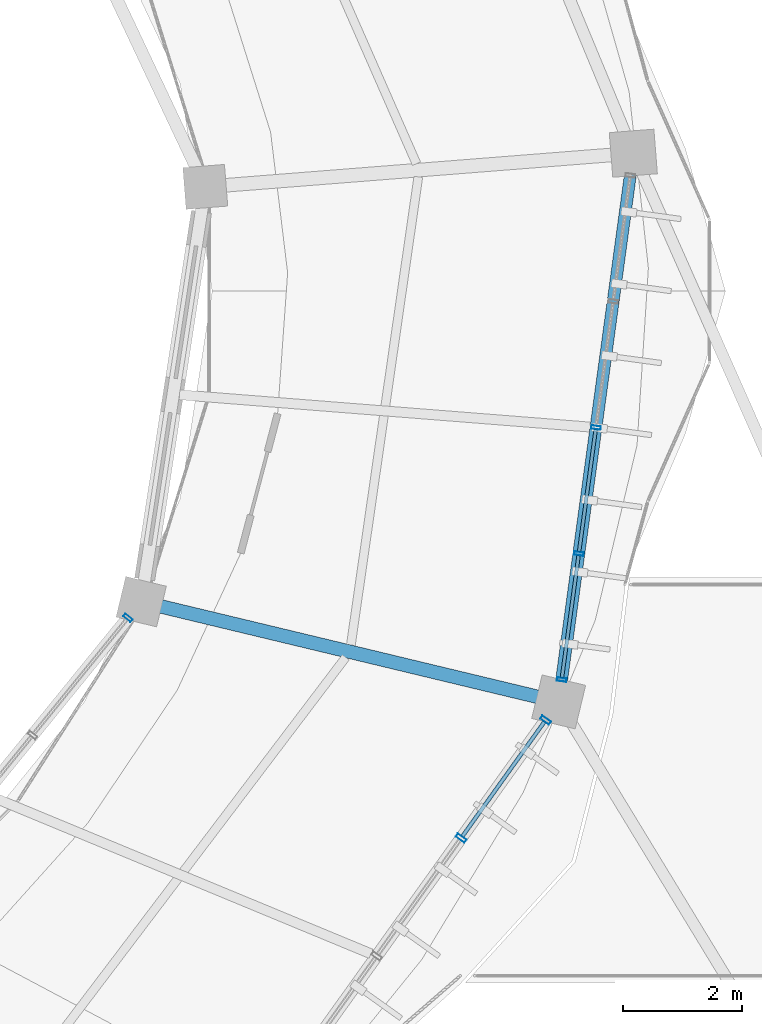
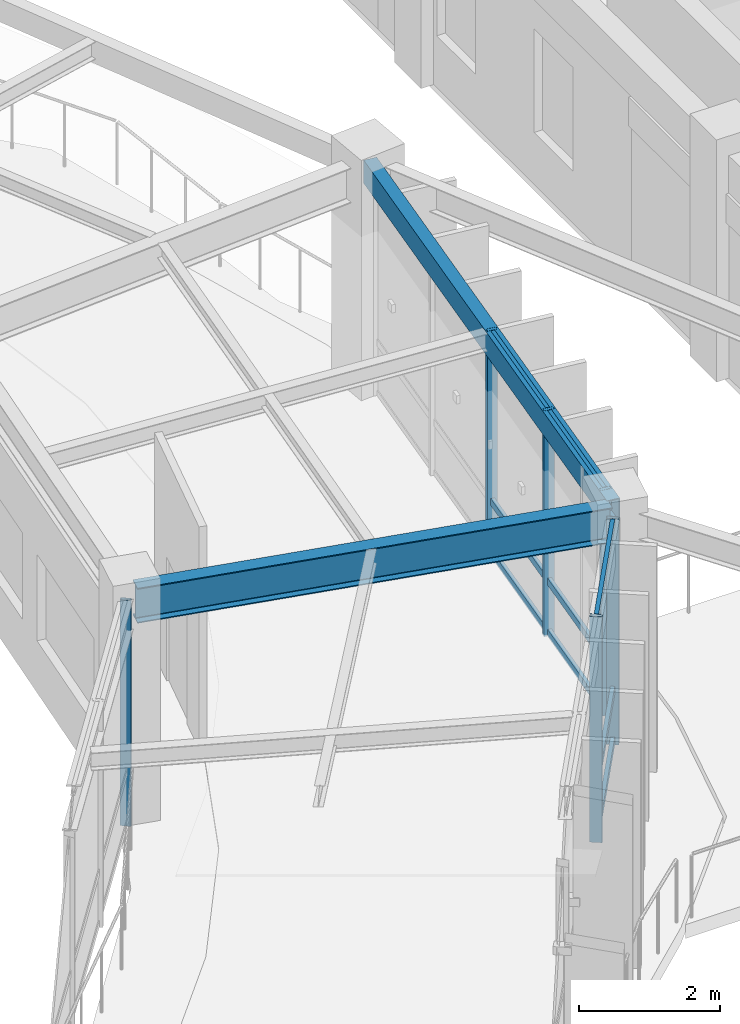
# One storey, part 97 of 152: 15 members, 2 beams, 3 elements without a shape of their own.
"""IFC4 building model written with IfcOpenShell, lengths in metres."""

from ifc_helpers import new_model, si_unit, direction, frame, origin, origin_2d, place, context, subcontext, project, spatial, hollow_rectangle, i_section, extrude, material, material_profile, profile_set, type_object, element, aggregate, save


model = new_model("IFC4")

# Units and contexts
model_context = context("Model", 3, precision=1e-05, world=origin(), true_north=direction((0.0, 1.0)))
body_context = subcontext(model_context, "Body", "Model", "MODEL_VIEW")
ifc_project = project(units=[si_unit("LENGTHUNIT", "METRE"), si_unit("AREAUNIT", "SQUARE_METRE"), si_unit("VOLUMEUNIT", "CUBIC_METRE"), si_unit("PLANEANGLEUNIT", "RADIAN"), si_unit("MASSUNIT", "GRAM", prefix="KILO"), si_unit("THERMODYNAMICTEMPERATUREUNIT", "KELVIN"), si_unit("POWERUNIT", "WATT")], contexts=[model_context])

# Site, building, storey
site_placement = place(None, origin())
site = spatial("IfcSite", under=ifc_project, at=site_placement, CompositionType="ELEMENT")
building_placement = place(site_placement, origin())
building = spatial("IfcBuilding", under=site, at=building_placement, Name="Darbajah Civic Hall", CompositionType="ELEMENT")
storey_placement = place(building_placement, frame((0.0, 0.0, 5.39990234375)))
storey = spatial("IfcBuildingStorey", under=building, at=storey_placement, Name="L01", CompositionType="ELEMENT", Elevation=5.39990234375)

# Curtain wall, member
ifc_material_1 = material(Name="Anodised Bronze Aluminium and Low-E Glazing", Category="aluminium")
curtain_wall_type_1 = type_object("IfcCurtainWallType", Name="Unitised Curtain Wall CW-35 7600x3900", PredefinedType="USERDEFINED", material=ifc_material_1)
curtain_wall_1_placement = place(storey_placement, origin())
curtain_wall_1 = element("IfcCurtainWall", 1, at=curtain_wall_1_placement, inside=storey, type_object=curtain_wall_type_1, Name="L01 unitised curtain wall CW-V1I-L01-18", ObjectType="UNITISED CURTAIN WALL", PredefinedType="USERDEFINED")
ifc_material_2 = material(Name="Anodised Bronze Aluminium", Category="aluminium")
ifc_material_profile_1 = material_profile(ifc_material_2, hollow_rectangle(XDim=0.06005859375, YDim=0.159912109375, WallThickness=0.00341796875, at=origin_2d()), Name="ALU MULLION 60x160")
ifc_profile_set_1 = profile_set([ifc_material_profile_1], Name="Anodised Bronze Aluminium")
member_type_1 = type_object("IfcMemberType", Name="ALU MULLION 60x160", PredefinedType="MULLION", material=ifc_profile_set_1)
member_1_placement = place(storey_placement, frame((131.4677734375, 84.3212890625, 0.0), z_axis=(0.0, 0.0, 1.0), x_axis=(0.63108205791, 0.775716079622, 0.0)))
member_1 = element("IfcMember", 2, at=member_1_placement, type_object=member_type_1, Name="CW-V1I-L01-18 mullion 4", PredefinedType="MULLION", context=body_context, shape_type="SweptSolid", body=[
    extrude(hollow_rectangle(XDim=0.06005859375, YDim=0.159912109375, WallThickness=0.00341796875, at=origin_2d()), origin(), (0.0, 0.0, 1.0), 3.920166015625),
])
aggregate(curtain_wall_1, [member_1])

# Curtain wall, members
curtain_wall_type_2 = type_object("IfcCurtainWallType", Name="Unitised Curtain Wall CW-36 8500x3900", PredefinedType="USERDEFINED", material=ifc_material_1)
curtain_wall_2_placement = place(storey_placement, origin())
curtain_wall_2 = element("IfcCurtainWall", 3, at=curtain_wall_2_placement, inside=storey, type_object=curtain_wall_type_2, Name="L01 unitised curtain wall CW-V1O-L01-19", ObjectType="UNITISED CURTAIN WALL", PredefinedType="USERDEFINED")
member_2_placement = place(storey_placement, frame((138.74169921875, 83.287109375, 0.0), z_axis=(0.0, 0.0, 1.0), x_axis=(0.134850930274, 0.990865897387, 0.0)))
member_2 = element("IfcMember", 4, at=member_2_placement, type_object=member_type_1, Name="CW-V1O-L01-19 mullion 1", PredefinedType="MULLION", context=body_context, shape_type="SweptSolid", body=[
    extrude(hollow_rectangle(XDim=0.06005859375, YDim=0.159912109375, WallThickness=0.00341796875, at=origin_2d()), origin(), (0.0, 0.0, 1.0), 3.920166015625),
])
member_3_placement = place(storey_placement, frame((139.029296875, 85.400390625, 0.0), z_axis=(0.0, 0.0, 1.0), x_axis=(0.134850930274, 0.990865897387, 0.0)))
member_3 = element("IfcMember", 5, at=member_3_placement, type_object=member_type_1, Name="CW-V1O-L01-19 mullion 2", PredefinedType="MULLION", context=body_context, shape_type="SweptSolid", body=[
    extrude(hollow_rectangle(XDim=0.06005859375, YDim=0.159912109375, WallThickness=0.00341796875, at=origin_2d()), origin(), (0.0, 0.0, 1.0), 3.920166015625),
])
member_4_placement = place(storey_placement, frame((139.31689453125, 87.513916015625, 0.0), z_axis=(0.0, 0.0, 1.0), x_axis=(0.134850930274, 0.990865897387, 0.0)))
member_4 = element("IfcMember", 6, at=member_4_placement, type_object=member_type_1, Name="CW-V1O-L01-19 mullion 3", PredefinedType="MULLION", context=body_context, shape_type="SweptSolid", body=[
    extrude(hollow_rectangle(XDim=0.06005859375, YDim=0.159912109375, WallThickness=0.00341796875, at=origin_2d()), origin(), (0.0, 0.0, 1.0), 3.920166015625),
])

curtain_wall_type_3 = type_object("IfcCurtainWallType", Name="Unitised Curtain Wall CW-34 9700x3900", PredefinedType="USERDEFINED", material=ifc_material_1)
curtain_wall_3_placement = place(storey_placement, origin())
curtain_wall_3 = element("IfcCurtainWall", 7, at=curtain_wall_3_placement, inside=storey, type_object=curtain_wall_type_3, Name="L01 unitised curtain wall CW-V1O-L01-18", ObjectType="UNITISED CURTAIN WALL", PredefinedType="USERDEFINED")
ifc_material_profile_2 = material_profile(ifc_material_2, hollow_rectangle(XDim=0.06494140625, YDim=0.179931640625, WallThickness=0.00390625, at=origin_2d()), Name="ALU MULLION 65x180")
ifc_profile_set_2 = profile_set([ifc_material_profile_2], Name="Anodised Bronze Aluminium")
member_type_2 = type_object("IfcMemberType", Name="ALU MULLION 65x180", PredefinedType="MULLION", material=ifc_profile_set_2)
member_5_placement = place(storey_placement, frame((137.0546875, 80.62841796875, 0.0), z_axis=(0.0, 0.0, 1.0), x_axis=(0.582264874145, 0.812999149039, 0.0)))
member_5 = element("IfcMember", 8, at=member_5_placement, type_object=member_type_2, Name="CW-V1O-L01-18 mullion 4", PredefinedType="MULLION", context=body_context, shape_type="SweptSolid", body=[
    extrude(hollow_rectangle(XDim=0.06494140625, YDim=0.179931640625, WallThickness=0.00390625, at=origin_2d()), origin(), (0.0, 0.0, 1.0), 3.920166015625),
])
member_6_placement = place(storey_placement, frame((138.471435546875, 82.60693359375, 0.0), z_axis=(0.0, 0.0, 1.0), x_axis=(0.582264874145, 0.812999149039, 0.0)))
member_6 = element("IfcMember", 9, at=member_6_placement, type_object=member_type_2, Name="CW-V1O-L01-18 mullion 5", PredefinedType="MULLION", context=body_context, shape_type="SweptSolid", body=[
    extrude(hollow_rectangle(XDim=0.06494140625, YDim=0.179931640625, WallThickness=0.00390625, at=origin_2d()), origin(), (0.0, 0.0, 1.0), 3.920166015625),
])

# Member
ifc_material_profile_3 = material_profile(ifc_material_2, hollow_rectangle(XDim=0.06005859375, YDim=0.1201171875, WallThickness=0.003173828125, at=origin_2d()), Name="ALU TRANSOM 60x120")
ifc_profile_set_3 = profile_set([ifc_material_profile_3], Name="Anodised Bronze Aluminium")
member_type_3 = type_object("IfcMemberType", Name="ALU TRANSOM 60x120", PredefinedType="USERDEFINED", material=ifc_profile_set_3)
member_7_placement = place(storey_placement, frame((138.746337890625, 83.32177734375, 0.06005859375), z_axis=(0.134923068318, 0.990856077155, 0.0), x_axis=(-0.990856077155, 0.134923068318, 0.0)))
member_7 = element("IfcMember", 10, at=member_7_placement, type_object=member_type_3, Name="CW-V1O-L01-19 transom 1.1", ObjectType="TRANSOM", PredefinedType="USERDEFINED", context=body_context, shape_type="SweptSolid", body=[
    extrude(hollow_rectangle(XDim=0.06005859375, YDim=0.1201171875, WallThickness=0.003173828125, at=origin_2d()), origin(), (0.0, 0.0, 1.0), 2.062744140625),
])

member_8_placement = place(storey_placement, frame((138.746337890625, 83.32177734375, 0.9501953125), z_axis=(0.134923068318, 0.990856077155, 0.0), x_axis=(-0.990856077155, 0.134923068318, 0.0)))
member_8 = element("IfcMember", 11, at=member_8_placement, type_object=member_type_3, Name="CW-V1O-L01-19 transom 1.2", ObjectType="TRANSOM", PredefinedType="USERDEFINED", context=body_context, shape_type="SweptSolid", body=[
    extrude(hollow_rectangle(XDim=0.06005859375, YDim=0.1201171875, WallThickness=0.003173828125, at=origin_2d()), origin(), (0.0, 0.0, 1.0), 2.062744140625),
])

member_9_placement = place(storey_placement, frame((138.746337890625, 83.32177734375, 3.860107421875), z_axis=(0.134923068318, 0.990856077155, 0.0), x_axis=(-0.990856077155, 0.134923068318, 0.0)))
member_9 = element("IfcMember", 12, at=member_9_placement, type_object=member_type_3, Name="CW-V1O-L01-19 transom 1.3", ObjectType="TRANSOM", PredefinedType="USERDEFINED", context=body_context, shape_type="SweptSolid", body=[
    extrude(hollow_rectangle(XDim=0.06005859375, YDim=0.1201171875, WallThickness=0.003173828125, at=origin_2d()), origin(), (0.0, 0.0, 1.0), 2.062744140625),
])

member_10_placement = place(storey_placement, frame((139.033935546875, 85.435302734375, 0.06005859375), z_axis=(0.134806866503, 0.990871893205, 0.0), x_axis=(-0.990871893205, 0.134806866503, 0.0)))
member_10 = element("IfcMember", 13, at=member_10_placement, type_object=member_type_3, Name="CW-V1O-L01-19 transom 2.1", ObjectType="TRANSOM", PredefinedType="USERDEFINED", context=body_context, shape_type="SweptSolid", body=[
    extrude(hollow_rectangle(XDim=0.06005859375, YDim=0.1201171875, WallThickness=0.003173828125, at=origin_2d()), origin(), (0.0, 0.0, 1.0), 2.062744140625),
])

member_11_placement = place(storey_placement, frame((139.033935546875, 85.435302734375, 0.9501953125), z_axis=(0.134806866503, 0.990871893205, 0.0), x_axis=(-0.990871893205, 0.134806866503, 0.0)))
member_11 = element("IfcMember", 14, at=member_11_placement, type_object=member_type_3, Name="CW-V1O-L01-19 transom 2.2", ObjectType="TRANSOM", PredefinedType="USERDEFINED", context=body_context, shape_type="SweptSolid", body=[
    extrude(hollow_rectangle(XDim=0.06005859375, YDim=0.1201171875, WallThickness=0.003173828125, at=origin_2d()), origin(), (0.0, 0.0, 1.0), 2.062744140625),
])

member_12_placement = place(storey_placement, frame((139.033935546875, 85.435302734375, 3.860107421875), z_axis=(0.134806866503, 0.990871893205, 0.0), x_axis=(-0.990871893205, 0.134806866503, 0.0)))
member_12 = element("IfcMember", 15, at=member_12_placement, type_object=member_type_3, Name="CW-V1O-L01-19 transom 2.3", ObjectType="TRANSOM", PredefinedType="USERDEFINED", context=body_context, shape_type="SweptSolid", body=[
    extrude(hollow_rectangle(XDim=0.06005859375, YDim=0.1201171875, WallThickness=0.003173828125, at=origin_2d()), origin(), (0.0, 0.0, 1.0), 2.062744140625),
])

aggregate(curtain_wall_2, [member_2, member_3, member_4, member_7, member_8, member_9, member_10, member_11, member_12])

ifc_material_profile_4 = material_profile(ifc_material_2, hollow_rectangle(XDim=0.06494140625, YDim=0.139892578125, WallThickness=0.00341796875, at=origin_2d()), Name="ALU TRANSOM 65x140")
ifc_profile_set_4 = profile_set([ifc_material_profile_4], Name="Anodised Bronze Aluminium")
member_type_4 = type_object("IfcMemberType", Name="ALU TRANSOM 65x140", PredefinedType="USERDEFINED", material=ifc_profile_set_4)
member_13_placement = place(storey_placement, frame((137.076416015625, 80.658935546875, 0.070068359375), z_axis=(0.58226587492, 0.812998432288, 0.0), x_axis=(-0.812998432288, 0.58226587492, 0.0)))
member_13 = element("IfcMember", 16, at=member_13_placement, type_object=member_type_4, Name="CW-V1O-L01-18 transom 4.1", ObjectType="TRANSOM", PredefinedType="USERDEFINED", context=body_context, shape_type="SweptSolid", body=[
    extrude(hollow_rectangle(XDim=0.06494140625, YDim=0.139892578125, WallThickness=0.00341796875, at=origin_2d()), origin(), (0.0, 0.0, 1.0), 2.358642578125),
])

member_14_placement = place(storey_placement, frame((137.076416015625, 80.658935546875, 0.9501953125), z_axis=(0.58226587492, 0.812998432288, 0.0), x_axis=(-0.812998432288, 0.58226587492, 0.0)))
member_14 = element("IfcMember", 17, at=member_14_placement, type_object=member_type_4, Name="CW-V1O-L01-18 transom 4.2", ObjectType="TRANSOM", PredefinedType="USERDEFINED", context=body_context, shape_type="SweptSolid", body=[
    extrude(hollow_rectangle(XDim=0.06494140625, YDim=0.139892578125, WallThickness=0.00341796875, at=origin_2d()), origin(), (0.0, 0.0, 1.0), 2.358642578125),
])

member_15_placement = place(storey_placement, frame((137.076416015625, 80.658935546875, 3.85009765625), z_axis=(0.58226587492, 0.812998432288, 0.0), x_axis=(-0.812998432288, 0.58226587492, 0.0)))
member_15 = element("IfcMember", 18, at=member_15_placement, type_object=member_type_4, Name="CW-V1O-L01-18 transom 4.3", ObjectType="TRANSOM", PredefinedType="USERDEFINED", context=body_context, shape_type="SweptSolid", body=[
    extrude(hollow_rectangle(XDim=0.06494140625, YDim=0.139892578125, WallThickness=0.00341796875, at=origin_2d()), origin(), (0.0, 0.0, 1.0), 2.358642578125),
])

aggregate(curtain_wall_3, [member_5, member_6, member_13, member_14, member_15])

# Beams
ifc_material_3 = material(Name="Steel S355JR", Category="steel")
ifc_material_profile_5 = material_profile(ifc_material_3, hollow_rectangle(XDim=0.199951171875, YDim=0.39990234375, WallThickness=0.013916015625, at=origin_2d()), Name="RHS 400x200x14")
ifc_profile_set_5 = profile_set([ifc_material_profile_5], Name="Steel S355JR")
beam_type_1 = type_object("IfcBeamType", Name="RHS 400x200x14", PredefinedType="SPANDREL", material=ifc_profile_set_5)
beam_1_placement = place(storey_placement, frame((138.70166015625, 82.99267578125, 3.72021484375), z_axis=(0.134807575565, 0.990871796738, 0.0), x_axis=(-0.990871796738, 0.134807575565, 0.0)))
element("IfcBeam", 19, at=beam_1_placement, inside=storey, type_object=beam_type_1, Name="L01 beam SP-RHS400", PredefinedType="SPANDREL", context=body_context, shape_type="SweptSolid", body=[
    extrude(hollow_rectangle(XDim=0.199951171875, YDim=0.39990234375, WallThickness=0.013916015625, at=origin_2d()), origin(), (0.0, 0.0, 1.0), 9.125732421875),
])
ifc_material_profile_6 = material_profile(ifc_material_3, i_section(OverallWidth=0.228271484375, OverallDepth=0.607666015625, WebThickness=0.010986328125, FlangeThickness=0.017333984375, FilletRadius=0.0126953125, at=origin_2d()), Name="UB 610x229x113")
ifc_profile_set_6 = profile_set([ifc_material_profile_6], Name="Steel S355JR")
beam_type_2 = type_object("IfcBeamType", Name="UB 610x229x113", PredefinedType="BEAM", material=ifc_profile_set_6)
beam_2_placement = place(storey_placement, frame((131.767578125, 84.575439453125, 3.6162109375), z_axis=(0.972374394108, -0.233426728726, 0.0), x_axis=(0.233426728726, 0.972374394108, 0.0)))
element("IfcBeam", 20, at=beam_2_placement, inside=storey, type_object=beam_type_2, Name="L01 beam SB-610", PredefinedType="BEAM", context=body_context, shape_type="SweptSolid", body=[
    extrude(i_section(OverallWidth=0.228271484375, OverallDepth=0.607666015625, WebThickness=0.010986328125, FlangeThickness=0.017333984375, FilletRadius=0.0126953125, at=origin_2d()), origin(), (0.0, 0.0, 1.0), 7.0400390625),
])

save(model, "model.ifc")
